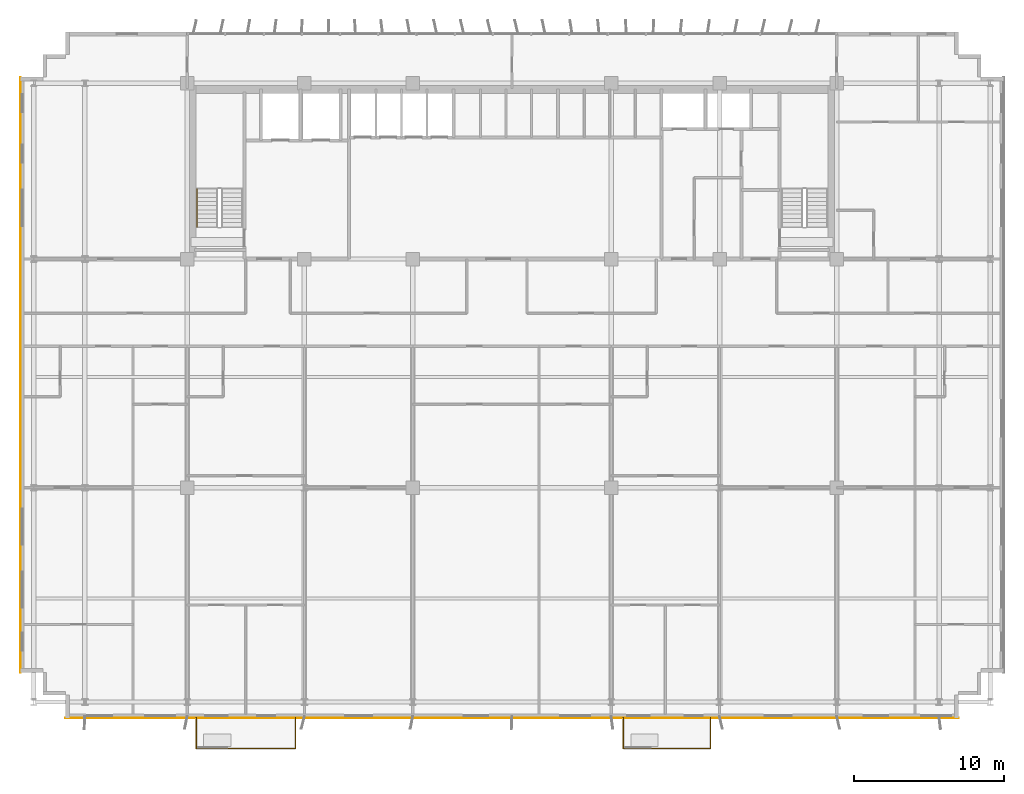
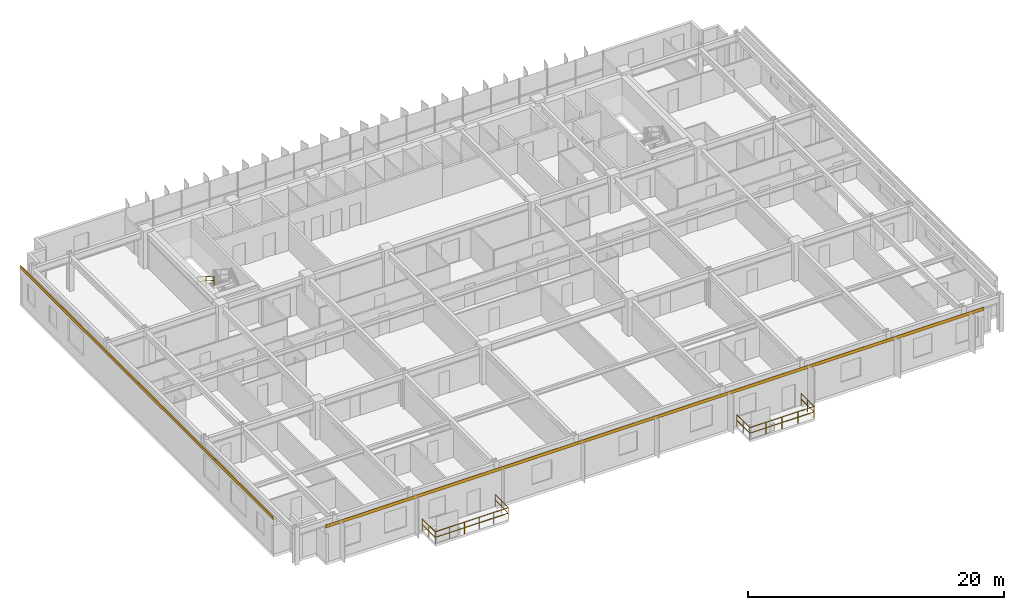
# One storey, part 20 of 22: 7 railings, 2 coverings.
"""IFC4 building model written with IfcOpenShell, lengths in metres."""

from ifc_helpers import new_model, si_unit, direction, frame, origin, origin_2d, place, context, subcontext, project, spatial, rectangle, extrude, source, transform, mapped, material, layer, layer_set, type_object, element, save


model = new_model("IFC4")

# Units and contexts
model_context = context("Model", 3, precision=1e-05, world=origin(), true_north=direction((0.0, 1.0)))
body_context = subcontext(model_context, "Body", "Model", "MODEL_VIEW")
ifc_project = project(units=[si_unit("LENGTHUNIT", "METRE"), si_unit("AREAUNIT", "SQUARE_METRE"), si_unit("VOLUMEUNIT", "CUBIC_METRE"), si_unit("PLANEANGLEUNIT", "RADIAN"), si_unit("MASSUNIT", "GRAM", prefix="KILO")], contexts=[model_context])

# Site, building, storey
site_placement = place(None, origin())
site = spatial("IfcSite", under=ifc_project, at=site_placement, CompositionType="ELEMENT")
building_placement = place(site_placement, origin())
building = spatial("IfcBuilding", under=site, at=building_placement, Name="Trelvane Seafront Commons", CompositionType="ELEMENT")
storey_placement = place(building_placement, frame((0.0, 0.0, 52.300048828125)))
storey = spatial("IfcBuildingStorey", under=building, at=storey_placement, Name="L13", CompositionType="ELEMENT", Elevation=52.300048828125)

# Railings
ifc_material_1 = material(Name="Stainless steel balustrade", Category="steel")
railing_type_1 = type_object("IfcRailingType", Name="ARCH-RAIL-BAL1150", PredefinedType="BALUSTRADE", material=ifc_material_1)
railing_1_placement = place(storey_placement, frame((16.199951171875, 2.89990234375, 0.0)))
element("IfcRailing", 1, at=railing_1_placement, inside=storey, type_object=railing_type_1, Name="RL-L13-BAL0-01", PredefinedType="BALUSTRADE", context=body_context, shape_type="SweptSolid", body=[
    extrude(rectangle(XDim=0.048095703125, YDim=0.048095703125, at=origin_2d()), frame((0.0, 0.0, 1.1259765625), z_axis=(0.0, -1.0, 0.0), x_axis=(1.0, 0.0, 0.0)), (0.0, 0.0, 1.0), 2.039794921875),
    extrude(rectangle(XDim=0.048095703125, YDim=0.048095703125, at=origin_2d()), frame((0.0, 0.0, 0.597900390625), z_axis=(0.0, -1.0, 0.0), x_axis=(1.0, 0.0, 0.0)), (0.0, 0.0, 1.0), 2.039794921875),
    extrude(rectangle(XDim=0.0419921875, YDim=0.0419921875, at=origin_2d()), origin(), (0.0, 0.0, 1.0), 1.1259765625),
    extrude(rectangle(XDim=0.0419921875, YDim=0.0419921875, at=origin_2d()), frame((0.0, -1.02001953125, 0.0)), (0.0, 0.0, 1.0), 1.1259765625),
    extrude(rectangle(XDim=0.0419921875, YDim=0.0419921875, at=origin_2d()), frame((0.0, -2.039794921875, 0.0)), (0.0, 0.0, 1.0), 1.1259765625),
])
railing_2_placement = place(storey_placement, frame((16.199951171875, 0.860107421875, 0.0)))
element("IfcRailing", 2, at=railing_2_placement, inside=storey, type_object=railing_type_1, Name="RL-L13-BAL0-02", PredefinedType="BALUSTRADE", context=body_context, shape_type="SweptSolid", body=[
    extrude(rectangle(XDim=0.048095703125, YDim=0.048095703125, at=origin_2d()), frame((0.0, 0.0, 1.1259765625), z_axis=(1.0, 0.0, 0.0), x_axis=(0.0, 1.0, 0.0)), (0.0, 0.0, 1.0), 6.60009765625),
    extrude(rectangle(XDim=0.048095703125, YDim=0.048095703125, at=origin_2d()), frame((0.0, 0.0, 0.597900390625), z_axis=(1.0, 0.0, 0.0), x_axis=(0.0, 1.0, 0.0)), (0.0, 0.0, 1.0), 6.60009765625),
    extrude(rectangle(XDim=0.0419921875, YDim=0.0419921875, at=origin_2d()), origin(), (0.0, 0.0, 1.0), 1.1259765625),
    extrude(rectangle(XDim=0.0419921875, YDim=0.0419921875, at=origin_2d()), frame((1.320068359375, 0.0, 0.0)), (0.0, 0.0, 1.0), 1.1259765625),
    extrude(rectangle(XDim=0.0419921875, YDim=0.0419921875, at=origin_2d()), frame((2.64013671875, 0.0, 0.0)), (0.0, 0.0, 1.0), 1.1259765625),
    extrude(rectangle(XDim=0.0419921875, YDim=0.0419921875, at=origin_2d()), frame((3.9599609375, 0.0, 0.0)), (0.0, 0.0, 1.0), 1.1259765625),
    extrude(rectangle(XDim=0.0419921875, YDim=0.0419921875, at=origin_2d()), frame((5.280029296875, 0.0, 0.0)), (0.0, 0.0, 1.0), 1.1259765625),
    extrude(rectangle(XDim=0.0419921875, YDim=0.0419921875, at=origin_2d()), frame((6.60009765625, 0.0, 0.0)), (0.0, 0.0, 1.0), 1.1259765625),
])
railing_3_placement = place(storey_placement, frame((22.800048828125, 0.860107421875, 0.0)))
element("IfcRailing", 3, at=railing_3_placement, inside=storey, type_object=railing_type_1, Name="RL-L13-BAL0-03", PredefinedType="BALUSTRADE", context=body_context, shape_type="SweptSolid", body=[
    extrude(rectangle(XDim=0.048095703125, YDim=0.048095703125, at=origin_2d()), frame((0.0, 0.0, 1.1259765625), z_axis=(0.0, 1.0, 0.0), x_axis=(-1.0, 0.0, 0.0)), (0.0, 0.0, 1.0), 2.039794921875),
    extrude(rectangle(XDim=0.048095703125, YDim=0.048095703125, at=origin_2d()), frame((0.0, 0.0, 0.597900390625), z_axis=(0.0, 1.0, 0.0), x_axis=(-1.0, 0.0, 0.0)), (0.0, 0.0, 1.0), 2.039794921875),
    extrude(rectangle(XDim=0.0419921875, YDim=0.0419921875, at=origin_2d()), origin(), (0.0, 0.0, 1.0), 1.1259765625),
    extrude(rectangle(XDim=0.0419921875, YDim=0.0419921875, at=origin_2d()), frame((0.0, 1.02001953125, 0.0)), (0.0, 0.0, 1.0), 1.1259765625),
    extrude(rectangle(XDim=0.0419921875, YDim=0.0419921875, at=origin_2d()), frame((0.0, 2.039794921875, 0.0)), (0.0, 0.0, 1.0), 1.1259765625),
])
railing_4_placement = place(storey_placement, frame((44.60009765625, 2.89990234375, 0.0)))
element("IfcRailing", 4, at=railing_4_placement, inside=storey, type_object=railing_type_1, Name="RL-L13-BAL1-01", PredefinedType="BALUSTRADE", context=body_context, shape_type="SweptSolid", body=[
    extrude(rectangle(XDim=0.048095703125, YDim=0.048095703125, at=origin_2d()), frame((0.0, 0.0, 1.1259765625), z_axis=(0.0, -1.0, 0.0), x_axis=(1.0, 0.0, 0.0)), (0.0, 0.0, 1.0), 2.039794921875),
    extrude(rectangle(XDim=0.048095703125, YDim=0.048095703125, at=origin_2d()), frame((0.0, 0.0, 0.597900390625), z_axis=(0.0, -1.0, 0.0), x_axis=(1.0, 0.0, 0.0)), (0.0, 0.0, 1.0), 2.039794921875),
    extrude(rectangle(XDim=0.0419921875, YDim=0.0419921875, at=origin_2d()), origin(), (0.0, 0.0, 1.0), 1.1259765625),
    extrude(rectangle(XDim=0.0419921875, YDim=0.0419921875, at=origin_2d()), frame((0.0, -1.02001953125, 0.0)), (0.0, 0.0, 1.0), 1.1259765625),
    extrude(rectangle(XDim=0.0419921875, YDim=0.0419921875, at=origin_2d()), frame((0.0, -2.039794921875, 0.0)), (0.0, 0.0, 1.0), 1.1259765625),
])
railing_5_placement = place(storey_placement, frame((44.60009765625, 0.860107421875, 0.0)))
element("IfcRailing", 5, at=railing_5_placement, inside=storey, type_object=railing_type_1, Name="RL-L13-BAL1-02", PredefinedType="BALUSTRADE", context=body_context, shape_type="SweptSolid", body=[
    extrude(rectangle(XDim=0.048095703125, YDim=0.048095703125, at=origin_2d()), frame((0.0, 0.0, 1.1259765625), z_axis=(1.0, 0.0, 0.0), x_axis=(0.0, 1.0, 0.0)), (0.0, 0.0, 1.0), 5.7998046875),
    extrude(rectangle(XDim=0.048095703125, YDim=0.048095703125, at=origin_2d()), frame((0.0, 0.0, 0.597900390625), z_axis=(1.0, 0.0, 0.0), x_axis=(0.0, 1.0, 0.0)), (0.0, 0.0, 1.0), 5.7998046875),
    extrude(rectangle(XDim=0.0419921875, YDim=0.0419921875, at=origin_2d()), origin(), (0.0, 0.0, 1.0), 1.1259765625),
    extrude(rectangle(XDim=0.0419921875, YDim=0.0419921875, at=origin_2d()), frame((1.449951171875, 0.0, 0.0)), (0.0, 0.0, 1.0), 1.1259765625),
    extrude(rectangle(XDim=0.0419921875, YDim=0.0419921875, at=origin_2d()), frame((2.89990234375, 0.0, 0.0)), (0.0, 0.0, 1.0), 1.1259765625),
    extrude(rectangle(XDim=0.0419921875, YDim=0.0419921875, at=origin_2d()), frame((4.349853515625, 0.0, 0.0)), (0.0, 0.0, 1.0), 1.1259765625),
    extrude(rectangle(XDim=0.0419921875, YDim=0.0419921875, at=origin_2d()), frame((5.7998046875, 0.0, 0.0)), (0.0, 0.0, 1.0), 1.1259765625),
])
railing_6_placement = place(storey_placement, frame((50.39990234375, 0.860107421875, 0.0)))
element("IfcRailing", 6, at=railing_6_placement, inside=storey, type_object=railing_type_1, Name="RL-L13-BAL1-03", PredefinedType="BALUSTRADE", context=body_context, shape_type="SweptSolid", body=[
    extrude(rectangle(XDim=0.048095703125, YDim=0.048095703125, at=origin_2d()), frame((0.0, 0.0, 1.1259765625), z_axis=(0.0, 1.0, 0.0), x_axis=(-1.0, 0.0, 0.0)), (0.0, 0.0, 1.0), 2.039794921875),
    extrude(rectangle(XDim=0.048095703125, YDim=0.048095703125, at=origin_2d()), frame((0.0, 0.0, 0.597900390625), z_axis=(0.0, 1.0, 0.0), x_axis=(-1.0, 0.0, 0.0)), (0.0, 0.0, 1.0), 2.039794921875),
    extrude(rectangle(XDim=0.0419921875, YDim=0.0419921875, at=origin_2d()), origin(), (0.0, 0.0, 1.0), 1.1259765625),
    extrude(rectangle(XDim=0.0419921875, YDim=0.0419921875, at=origin_2d()), frame((0.0, 1.02001953125, 0.0)), (0.0, 0.0, 1.0), 1.1259765625),
    extrude(rectangle(XDim=0.0419921875, YDim=0.0419921875, at=origin_2d()), frame((0.0, 2.039794921875, 0.0)), (0.0, 0.0, 1.0), 1.1259765625),
])
railing_type_2 = type_object("IfcRailingType", Name="ARCH-SRL-HAND", PredefinedType="HANDRAIL", material=ifc_material_1)
railing_7_placement = place(storey_placement, frame((16.25, 38.070068359375, 1.97998046875)))
element("IfcRailing", 7, at=railing_7_placement, inside=storey, type_object=railing_type_2, Name="L13 ST-1 stair handrail 2", PredefinedType="HANDRAIL", context=body_context, shape_type="SweptSolid", body=[
    extrude(rectangle(XDim=0.048095703125, YDim=0.048095703125, at=origin_2d()), frame((0.0, 0.0, 0.8759765625), z_axis=(0.0, -0.841199657755, 0.540724639528), x_axis=(1.0, 0.0, 0.0)), (0.0, 0.0, 1.0), 2.995849609375),
    extrude(rectangle(XDim=0.048095703125, YDim=0.048095703125, at=origin_2d()), frame((0.0, 0.0, 0.468017578125), z_axis=(0.0, -0.841199657755, 0.540724639528), x_axis=(1.0, 0.0, 0.0)), (0.0, 0.0, 1.0), 2.995849609375),
    extrude(rectangle(XDim=0.0419921875, YDim=0.0419921875, at=origin_2d()), origin(), (0.0, 0.0, 1.0), 0.8759765625),
    extrude(rectangle(XDim=0.0419921875, YDim=0.0419921875, at=origin_2d()), frame((0.0, -1.260009765625, 0.81005859375)), (0.0, 0.0, 1.0), 0.8759765625),
    extrude(rectangle(XDim=0.0419921875, YDim=0.0419921875, at=origin_2d()), frame((0.0, -2.52001953125, 1.619873046875)), (0.0, 0.0, 1.0), 0.8759765625),
])

# Coverings
ifc_material_2 = material(Name="Anodised pale-silver aluminium", Category="aluminium")
ifc_layer = layer(ifc_material_2, 0.034912109375, Name="ARCH-COV-CLAD35")
ifc_layer_set = layer_set([ifc_layer], Name="Anodised pale-silver aluminium")
covering_type = type_object("IfcCoveringType", Name="ARCH-COV-CLAD35", PredefinedType="CLADDING", material=ifc_layer_set)
shared_shape_1 = source(origin(), body_context, "Body", "SweptSolid", [
    extrude(rectangle(XDim=39.60009765625, YDim=0.034912109375, at=origin_2d()), origin(), (0.0, 0.0, 1.0), 0.300048828125),
])
covering_1_placement = place(storey_placement, frame((4.5, 25.699951171875, 3.2998046875), z_axis=(0.0, 0.0, 1.0), x_axis=(0.0, 1.0, 0.0)))
element("IfcCovering", 8, at=covering_1_placement, inside=storey, type_object=covering_type, Name="CLD-L13-00063", PredefinedType="CLADDING", context=body_context, shape_type="MappedRepresentation", body=[
    mapped(shared_shape_1, transform((0.0, 0.0, 0.0), x_axis=(1.0, 0.0, 0.0), y_axis=(0.0, 1.0, 0.0), z_axis=(0.0, 0.0, 1.0), scale=1.0)),
])
shared_shape_2 = source(origin(), body_context, "Body", "SweptSolid", [
    extrude(rectangle(XDim=59.39990234375, YDim=0.034912109375, at=origin_2d()), origin(), (0.0, 0.0, 1.0), 0.300048828125),
])
covering_2_placement = place(storey_placement, frame((37.199951171875, 2.89990234375, 3.2998046875), z_axis=(0.0, 0.0, 1.0), x_axis=(-1.0, 0.0, 0.0)))
element("IfcCovering", 9, at=covering_2_placement, inside=storey, type_object=covering_type, Name="CLD-L13-00065", PredefinedType="CLADDING", context=body_context, shape_type="MappedRepresentation", body=[
    mapped(shared_shape_2, transform((0.0, 0.0, 0.0), x_axis=(1.0, 0.0, 0.0), y_axis=(0.0, 1.0, 0.0), z_axis=(0.0, 0.0, 1.0), scale=1.0)),
])

save(model, "model.ifc")
